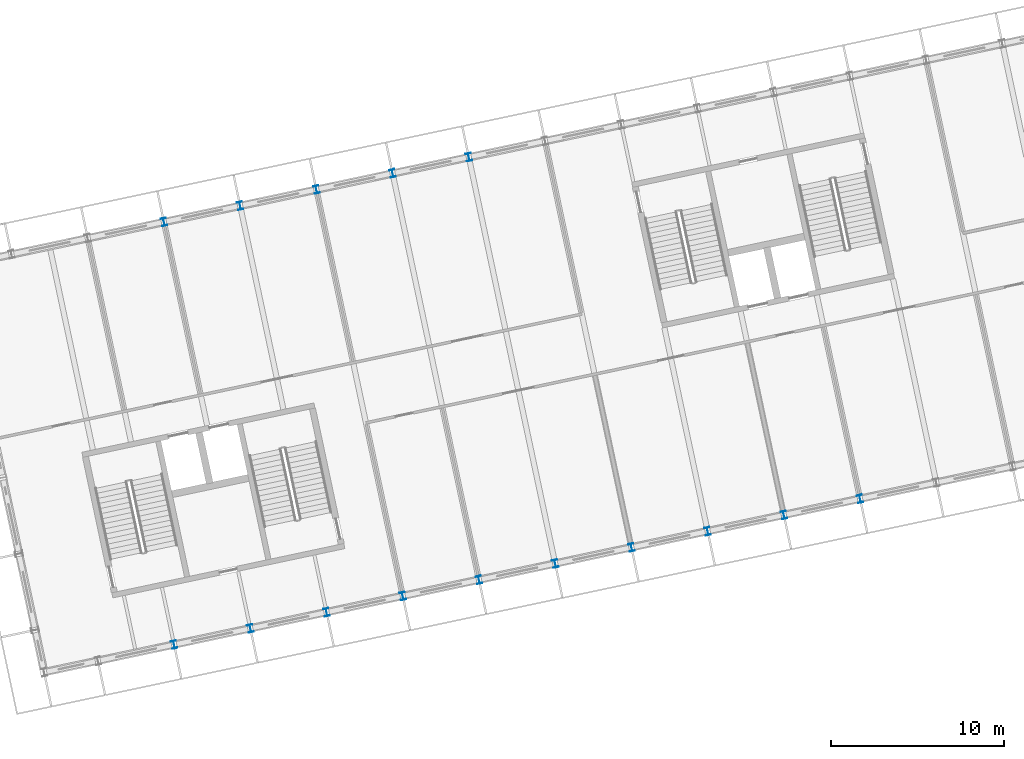
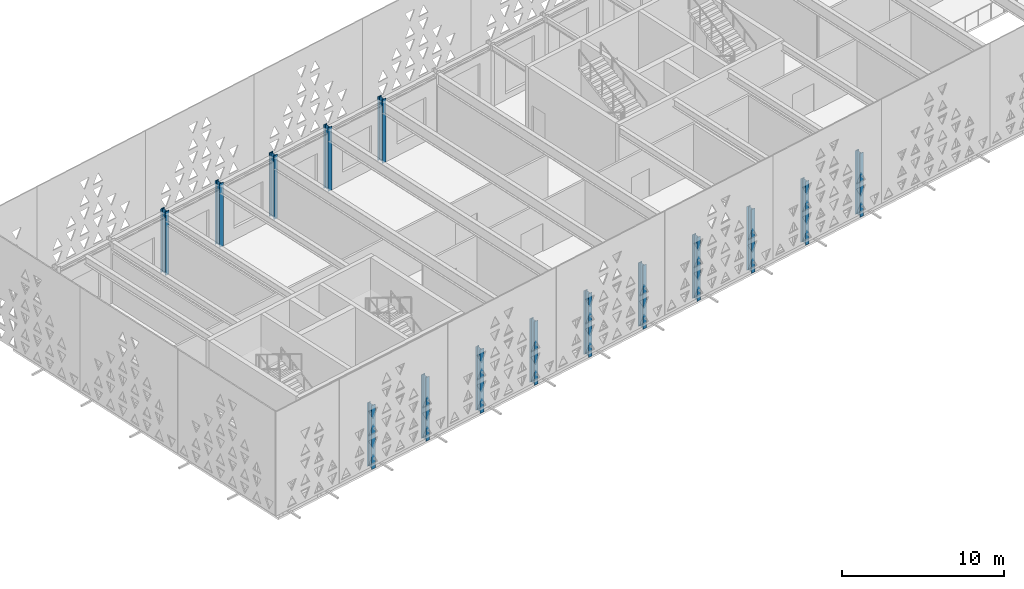
# One storey, part 4 of 196: 15 columns.
"""IFC4 building model written with IfcOpenShell, lengths in metres."""

from ifc_helpers import new_model, si_unit, direction, frame, origin, origin_2d, place, context, subcontext, project, spatial, i_section, extrude, material, material_profile, profile_set, type_object, element, save


model = new_model("IFC4")

# Units and contexts
model_context = context("Model", 3, precision=1e-05, world=origin(), true_north=direction((0.0, 1.0)))
body_context = subcontext(model_context, "Body", "Model", "MODEL_VIEW")
ifc_project = project(units=[si_unit("LENGTHUNIT", "METRE"), si_unit("AREAUNIT", "SQUARE_METRE"), si_unit("VOLUMEUNIT", "CUBIC_METRE"), si_unit("PLANEANGLEUNIT", "RADIAN"), si_unit("MASSUNIT", "GRAM", prefix="KILO")], contexts=[model_context])

# Site, building, storey
site_placement = place(None, origin())
site = spatial("IfcSite", under=ifc_project, at=site_placement, CompositionType="ELEMENT")
building_placement = place(site_placement, origin())
building = spatial("IfcBuilding", under=site, at=building_placement, Name="Okhra Congress Centre", CompositionType="ELEMENT")
storey_placement = place(building_placement, frame((0.0, 0.0, 12.0)))
storey = spatial("IfcBuildingStorey", under=building, at=storey_placement, Name="L02", CompositionType="ELEMENT", Elevation=12.0)

# Columns
ifc_material = material(Name="Steel S355J2", Category="steel")
ifc_material_profile = material_profile(ifc_material, i_section(OverallWidth=0.300048828125, OverallDepth=0.449951171875, WebThickness=0.013916015625, FlangeThickness=0.02587890625, FilletRadius=0.027099609375, at=origin_2d()), Name="HE 450 B")
ifc_profile_set = profile_set([ifc_material_profile], Name="Steel S355J2")
column_type = type_object("IfcColumnType", Name="Steel post HE 450 B", PredefinedType="COLUMN", material=ifc_profile_set)
for number, where, z_axis, x_axis, name in (
    (1, (69.814208984375, 28.680419921875, 0.0), (0.0, 0.0, 1.0), (0.978147600734, 0.207911690818, 0.0), "Post S3"),
    (2, (74.216064453125, 29.615966796875, 0.0), (0.0, 0.0, 1.0), (0.978147600734, 0.207911690818, 0.0), "Post S4"),
    (3, (78.61767578125, 30.5517578125, 0.0), (0.0, 0.0, 1.0), (0.978147600734, 0.207911690818, 0.0), "Post S5"),
    (4, (83.019287109375, 31.4873046875, 0.0), (0.0, 0.0, 1.0), (0.978147600734, 0.207911690818, 0.0), "Post S6"),
    (5, (87.4208984375, 32.4228515625, 0.0), (0.0, 0.0, 1.0), (0.978147600734, 0.207911690818, 0.0), "Post S7"),
    (6, (91.82275390625, 33.3583984375, 0.0), (0.0, 0.0, 1.0), (0.978147600734, 0.207911690818, 0.0), "Post S8"),
    (7, (96.224365234375, 34.2939453125, 0.0), (0.0, 0.0, 1.0), (0.978147600734, 0.207911690818, 0.0), "Post S9"),
    (8, (100.6259765625, 35.229736328125, 0.0), (0.0, 0.0, 1.0), (0.978147600734, 0.207911690818, 0.0), "Post S10"),
    (9, (105.027587890625, 36.165283203125, 0.0), (0.0, 0.0, 1.0), (0.978147600734, 0.207911690818, 0.0), "Post S11"),
    (10, (109.42919921875, 37.100830078125, 0.0), (0.0, 0.0, 1.0), (0.978147600734, 0.207911690818, 0.0), "Post S12"),
    (11, (69.22607421875, 53.091552734375, 0.0), (0.0, 0.0, 1.0), (0.978147600734, 0.207911690818, 0.0), "Post N4"),
    (12, (73.627685546875, 54.027099609375, 0.0), (0.0, 0.0, 1.0), (0.978147600734, 0.207911690818, 0.0), "Post N5"),
    (13, (78.029541015625, 54.962890625, 0.0), (0.0, 0.0, 1.0), (0.978147600734, 0.207911690818, 0.0), "Post N6"),
    (14, (82.43115234375, 55.8984375, 0.0), (0.0, 0.0, 1.0), (0.978147600734, 0.207911690818, 0.0), "Post N7"),
    (15, (86.832763671875, 56.833984375, 0.0), (0.0, 0.0, 1.0), (0.978147600734, 0.207911690818, 0.0), "Post N8"),
):
    element("IfcColumn", number, at=place(storey_placement, frame(where, z_axis=z_axis, x_axis=x_axis)), inside=storey, type_object=column_type, Name=name, PredefinedType="COLUMN", context=body_context, shape_type="SweptSolid", body=[
        extrude(i_section(OverallWidth=0.300048828125, OverallDepth=0.449951171875, WebThickness=0.013916015625, FlangeThickness=0.02587890625, FilletRadius=0.027099609375, at=origin_2d()), origin(), (0.0, 0.0, 1.0), 4.800048828125),
    ])

save(model, "model.ifc")
